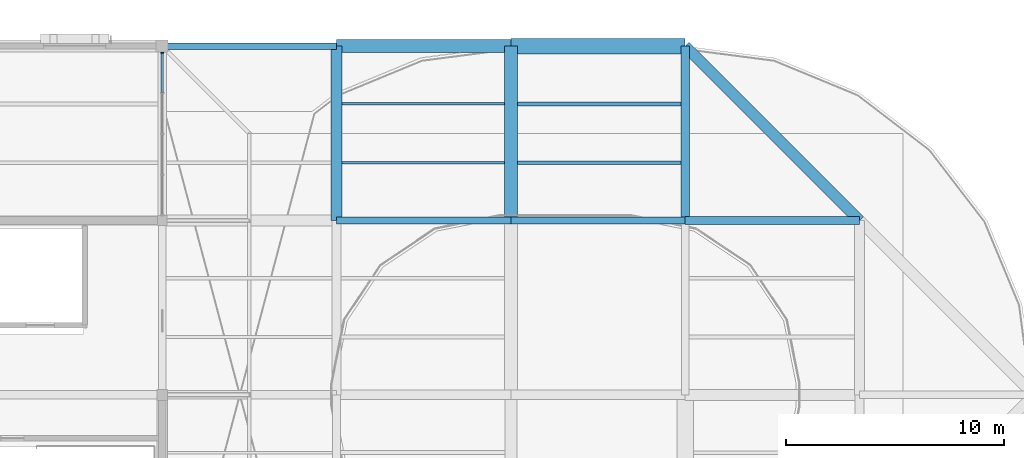
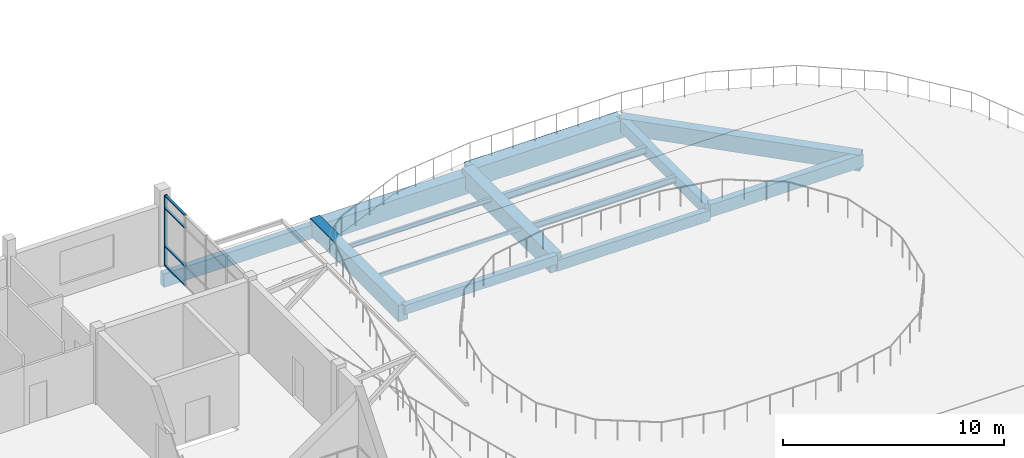
# One storey, part 18 of 44: 14 beams, 5 members, 1 element without a shape of its own.
"""IFC4 building model written with IfcOpenShell, lengths in metres."""

import ifcopenshell
import ifcopenshell.guid

model = None  # the IFC model being written
_history = None  # IfcOwnerHistory: only IFC2X3 demands one
_inside = {}  # id of a spatial element -> (the spatial element, [elements in it])
_under = {}  # id of a project, library or spatial element -> (it, [spatial elements below it])
_declared = {}  # id of a project -> (the project, [libraries it declares])
_typed = {}  # id of a type object -> (the type object, [elements of that type])
_made_of = {}  # id of a material, layer set ... -> (it, [elements and type objects made of it])


def new_model(schema):
    """Start an empty IFC model of exactly this schema.

    Asked for "IFC4X3", IfcOpenShell would pick the latest addendum, in which some entities
    have other attributes; the version numbers below select the first issue.
    IFC2X3 requires an IfcOwnerHistory on every rooted entity: one is made here for all.
    """
    global model, _history
    if schema == "IFC4X3":
        model = ifcopenshell.file(schema_version=(4, 3, 0, 0))
    else:
        model = ifcopenshell.file(schema=schema)
    _inside.clear()
    _under.clear()
    _declared.clear()
    _typed.clear()
    _made_of.clear()
    _history = None
    if model.schema == "IFC2X3":
        org = make("IfcOrganization", Name="unknown")
        user = make(
            "IfcPersonAndOrganization",
            ThePerson=make("IfcPerson", FamilyName="unknown"),
            TheOrganization=org,
        )
        app = make(
            "IfcApplication",
            ApplicationDeveloper=org,
            Version="unknown",
            ApplicationFullName="unknown",
            ApplicationIdentifier="unknown",
        )
        _history = make(
            "IfcOwnerHistory",
            OwningUser=user,
            OwningApplication=app,
            ChangeAction="ADDED",
            CreationDate=0,
        )
    return model


def make(cls, **values):
    """One entity of the class cls with the attributes given. An attribute that is None is left unset."""
    return model.create_entity(
        cls, **{name: value for name, value in values.items() if value is not None}
    )


def rooted(cls, **values):
    """An entity with a GlobalId (a new one), such as an element, a storey or a relation."""
    return make(cls, GlobalId=ifcopenshell.guid.new(), OwnerHistory=_history, **values)


def si_unit(unit_type, name, prefix=None):
    """IfcSIUnit, for example si_unit("LENGTHUNIT", "METRE", prefix="MILLI")."""
    return make("IfcSIUnit", UnitType=unit_type, Prefix=prefix, Name=name)


def assignment(units):
    """IfcUnitAssignment: the units of a project."""
    return None if units is None else make("IfcUnitAssignment", Units=units)


def point(xyz):
    """IfcCartesianPoint."""
    return None if xyz is None else make("IfcCartesianPoint", Coordinates=xyz)


def direction(xyz):
    """IfcDirection."""
    return None if xyz is None else make("IfcDirection", DirectionRatios=xyz)


def frame(location, z_axis=None, x_axis=None):
    """IfcAxis2Placement3D, a coordinate frame: its origin and axes. An axis left out is left unset."""
    return make(
        "IfcAxis2Placement3D",
        Location=point(location),
        Axis=direction(z_axis),
        RefDirection=direction(x_axis),
    )


def frame_2d(location, x_axis=None):
    """IfcAxis2Placement2D, a coordinate frame in the plane: its origin and x axis."""
    return make(
        "IfcAxis2Placement2D", Location=point(location), RefDirection=direction(x_axis)
    )


def origin():
    """The frame at (0, 0, 0) with its axes left unset."""
    return frame((0.0, 0.0, 0.0))


def origin_2d():
    """The frame at (0, 0) in the plane with its x axis left unset."""
    return frame_2d((0.0, 0.0))


def place(relative_to, where):
    """IfcLocalPlacement: puts the frame where relative to a parent placement (None: the world)."""
    return make(
        "IfcLocalPlacement", PlacementRelTo=relative_to, RelativePlacement=where
    )


def context(
    kind, dimensions, precision=None, world=None, true_north=None, identifier=None
):
    """IfcGeometricRepresentationContext, for example the 3D "Model" context."""
    return make(
        "IfcGeometricRepresentationContext",
        ContextIdentifier=identifier,
        ContextType=kind,
        CoordinateSpaceDimension=dimensions,
        Precision=precision,
        WorldCoordinateSystem=world,
        TrueNorth=true_north,
    )


def subcontext(parent, identifier, kind, view, scale=None):
    """IfcGeometricRepresentationSubContext, for example "Body" below "Model"."""
    return make(
        "IfcGeometricRepresentationSubContext",
        ContextIdentifier=identifier,
        ContextType=kind,
        ParentContext=parent,
        TargetScale=scale,
        TargetView=view,
    )


def project(units=None, contexts=None):
    """IfcProject with its units and contexts."""
    return rooted(
        "IfcProject",
        Name="project",
        RepresentationContexts=contexts,
        UnitsInContext=assignment(units),
    )


def spatial(cls, under=None, at=None, **own):
    """A site, building, storey or space (cls), placed at a placement, below another one or the project."""
    s = rooted(cls, ObjectPlacement=at, **own)
    if under is not None:
        _under.setdefault(under.id(), (under, []))[1].append(s)
    return s


def profile(cls, at=None, kind="AREA", **sizes):
    """A parametric profile (cls). Its sizes go by their IFC names, for example OverallWidth=200.0."""
    return make(cls, ProfileType=kind, Position=at, **sizes)


def rectangle(**sizes):
    """IfcRectangleProfileDef."""
    return profile("IfcRectangleProfileDef", **sizes)


def hollow_rectangle(**sizes):
    """IfcRectangleHollowProfileDef."""
    return profile("IfcRectangleHollowProfileDef", **sizes)


def i_section(**sizes):
    """IfcIShapeProfileDef."""
    return profile("IfcIShapeProfileDef", **sizes)


def extrude(swept, where, along, depth):
    """IfcExtrudedAreaSolid: the profile swept, set in the frame where, extruded along a direction by depth."""
    return make(
        "IfcExtrudedAreaSolid",
        SweptArea=swept,
        Position=where,
        ExtrudedDirection=direction(along),
        Depth=depth,
    )


def shape(context_of_items, identifier, shape_type, items):
    """IfcShapeRepresentation: the items that make up one representation, for example the "Body"."""
    return make(
        "IfcShapeRepresentation",
        ContextOfItems=context_of_items,
        RepresentationIdentifier=identifier,
        RepresentationType=shape_type,
        Items=items,
    )


def material(Name=None, Category=None):
    """IfcMaterial."""
    return make("IfcMaterial", Name=Name, Category=Category)


def material_profile(
    of_material, cross_section, Name=None, Category=None, Priority=None
):
    """IfcMaterialProfile: a cross section and its material."""
    return make(
        "IfcMaterialProfile",
        Name=Name,
        Material=of_material,
        Profile=cross_section,
        Priority=Priority,
        Category=Category,
    )


def profile_set(profiles, Name=None, composite=None):
    """IfcMaterialProfileSet."""
    return make(
        "IfcMaterialProfileSet",
        Name=Name,
        MaterialProfiles=profiles,
        CompositeProfile=composite,
    )


def made_of(thing, what):
    """Note that an element or type object is made of a material, layer set ...; save() writes the relation."""
    if what is not None:
        _made_of.setdefault(what.id(), (what, []))[1].append(thing)
    return thing


def type_object(cls, material=None, **own):
    """A type object (cls), such as IfcWallType, which elements share."""
    return made_of(rooted(cls, **own), material)


def element(
    cls,
    number,
    at=None,
    inside=None,
    cuts=None,
    type_object=None,
    material=None,
    context=None,
    identifier="Body",
    shape_type=None,
    held_by="IfcProductDefinitionShape",
    body=None,
    shapes=None,
    **own,
):
    """One element of the class cls, such as IfcWall. Its Tag is "e" and its number.

    at: its placement. inside: the storey or other place that contains it. cuts: it is an
    opening in that element (IfcRelVoidsElement). A single representation is given by context,
    identifier, shape_type and body (its items); several are given by shapes. held_by: the class
    of the entity that holds the representations. save() writes the other relations.
    """
    e = rooted(cls, Tag="e%d" % number, ObjectPlacement=at, **own)
    if body is not None:
        shapes = [shape(context, identifier, shape_type, body)]
    if shapes is not None:
        e.Representation = make(held_by, Representations=shapes)
    if inside is not None:
        _inside.setdefault(inside.id(), (inside, []))[1].append(e)
    if cuts is not None:
        rooted(
            "IfcRelVoidsElement", RelatingBuildingElement=cuts, RelatedOpeningElement=e
        )
    if type_object is not None:
        _typed.setdefault(type_object.id(), (type_object, []))[1].append(e)
    return made_of(e, material)


def aggregate(whole, parts):
    """IfcRelAggregates: a whole, such as a stair, and the parts it consists of."""
    return rooted("IfcRelAggregates", RelatingObject=whole, RelatedObjects=parts)


def save(model, path):
    """Write the relations noted so far, then the file.

    IfcRelAggregates (storeys below a building ...), IfcRelContainedInSpatialStructure (elements
    in a storey), IfcRelDefinesByType, IfcRelAssociatesMaterial and IfcRelDeclares: one each for
    every whole, place, type object, material and project.
    """
    for whole, parts in _under.values():
        aggregate(whole, parts)
    for where, things in _inside.values():
        rooted(
            "IfcRelContainedInSpatialStructure",
            RelatedElements=things,
            RelatingStructure=where,
        )
    for kind, things in _typed.values():
        rooted("IfcRelDefinesByType", RelatedObjects=things, RelatingType=kind)
    for what, things in _made_of.values():
        rooted("IfcRelAssociatesMaterial", RelatedObjects=things, RelatingMaterial=what)
    for by, libraries in _declared.values():
        rooted("IfcRelDeclares", RelatingContext=by, RelatedDefinitions=libraries)
    model.write(path)


model = new_model("IFC4")

# Units and contexts
model_context = context("Model", 3, precision=1e-05, world=origin(), true_north=direction((0.0, 1.0)))
body_context = subcontext(model_context, "Body", "Model", "MODEL_VIEW")
ifc_project = project(units=[si_unit("LENGTHUNIT", "METRE"), si_unit("AREAUNIT", "SQUARE_METRE"), si_unit("VOLUMEUNIT", "CUBIC_METRE"), si_unit("PLANEANGLEUNIT", "RADIAN"), si_unit("MASSUNIT", "GRAM", prefix="KILO")], contexts=[model_context])

# Site, building, storey
site_placement = place(None, origin())
site = spatial("IfcSite", under=ifc_project, at=site_placement, CompositionType="ELEMENT")
building_placement = place(site_placement, origin())
building = spatial("IfcBuilding", under=site, at=building_placement, Name="Tenunan Teduh Sports Hall", CompositionType="ELEMENT")
storey_placement = place(building_placement, frame((0.0, 0.0, 19.199951171875)))
storey = spatial("IfcBuildingStorey", under=building, at=storey_placement, Name="L04", CompositionType="ELEMENT", Elevation=19.199951171875)

# Beams
ifc_material_1 = material(Name="Concrete C40/50", Category="concrete")
ifc_material_profile_1 = material_profile(ifc_material_1, rectangle(XDim=0.300048828125, YDim=0.5, at=origin_2d()), Name="RCB 300x500")
ifc_profile_set_1 = profile_set([ifc_material_profile_1], Name="Concrete C40/50")
beam_type_1 = type_object("IfcBeamType", Name="BM-RC-300x500", PredefinedType="BEAM", material=ifc_profile_set_1)
beam_1_placement = place(storey_placement, frame((46.0, 110.0, -0.52001953125), z_axis=(1.0, 0.0, 0.0), x_axis=(0.0, 1.0, 0.0)))
element("IfcBeam", 1, at=beam_1_placement, inside=storey, type_object=beam_type_1, Name="BM-B-01-L04-2055", PredefinedType="BEAM", context=body_context, shape_type="SweptSolid", body=[
    extrude(rectangle(XDim=0.300048828125, YDim=0.5, at=origin_2d()), origin(), (0.0, 0.0, 1.0), 8.0),
])
ifc_material_2 = material(Name="Concrete C40/50", Category="concrete")
ifc_material_profile_2 = material_profile(ifc_material_2, rectangle(XDim=0.300048828125, YDim=0.60009765625, at=origin_2d()), Name="RCB 300x600")
ifc_profile_set_2 = profile_set([ifc_material_profile_2], Name="Concrete C40/50")
beam_type_2 = type_object("IfcBeamType", Name="BM-RC-300x600", PredefinedType="BEAM", material=ifc_profile_set_2)
beam_2_placement = place(storey_placement, frame((54.0, 110.0, -0.869873046875), z_axis=(1.0, 0.0, 0.0), x_axis=(0.0, 1.0, 0.0)))
element("IfcBeam", 2, at=beam_2_placement, inside=storey, type_object=beam_type_2, Name="BM-B-03-L04-2056", PredefinedType="BEAM", context=body_context, shape_type="SweptSolid", body=[
    extrude(rectangle(XDim=0.300048828125, YDim=0.60009765625, at=origin_2d()), origin(), (0.0, 0.0, 1.0), 8.0),
])
ifc_material_3 = material(Name="Concrete C40/50", Category="concrete")
ifc_material_profile_3 = material_profile(ifc_material_3, rectangle(XDim=0.35009765625, YDim=0.699951171875, at=origin_2d()), Name="RCB 350x700")
ifc_profile_set_3 = profile_set([ifc_material_profile_3], Name="Concrete C40/50")
beam_type_3 = type_object("IfcBeamType", Name="BM-RC-350x700", PredefinedType="BEAM", material=ifc_profile_set_3)
beam_3_placement = place(storey_placement, frame((62.0, 110.0, -0.619873046875), z_axis=(1.0, 0.0, 0.0), x_axis=(0.0, 1.0, 0.0)))
element("IfcBeam", 3, at=beam_3_placement, inside=storey, type_object=beam_type_3, Name="BM-B-06-L04-2057", PredefinedType="BEAM", context=body_context, shape_type="SweptSolid", body=[
    extrude(rectangle(XDim=0.35009765625, YDim=0.699951171875, at=origin_2d()), origin(), (0.0, 0.0, 1.0), 8.0),
])
ifc_material_4 = material(Name="Concrete C40/50", Category="concrete")
ifc_material_profile_4 = material_profile(ifc_material_4, rectangle(XDim=0.39990234375, YDim=0.64990234375, at=origin_2d()), Name="RCB 400x650")
ifc_profile_set_4 = profile_set([ifc_material_profile_4], Name="Concrete C40/50")
beam_type_4 = type_object("IfcBeamType", Name="BM-RC-400x650", PredefinedType="BEAM", material=ifc_profile_set_4)
beam_4_placement = place(storey_placement, frame((62.0, 110.0, -0.594970703125), z_axis=(0.0, 1.0, 0.0), x_axis=(-1.0, 0.0, 0.0)))
element("IfcBeam", 4, at=beam_4_placement, inside=storey, type_object=beam_type_4, Name="BM-B-07-L04-2107", PredefinedType="BEAM", context=body_context, shape_type="SweptSolid", body=[
    extrude(rectangle(XDim=0.39990234375, YDim=0.64990234375, at=origin_2d()), origin(), (0.0, 0.0, 1.0), 8.0),
])
ifc_material_5 = material(Name="Concrete C40/50", Category="concrete")
ifc_material_profile_5 = material_profile(ifc_material_5, rectangle(XDim=0.5, YDim=0.89990234375, at=origin_2d()), Name="RCB 500x900")
ifc_profile_set_5 = profile_set([ifc_material_profile_5], Name="Concrete C40/50")
beam_type_5 = type_object("IfcBeamType", Name="BM-RC-500x900", PredefinedType="BEAM", material=ifc_profile_set_5)
beam_5_placement = place(storey_placement, frame((70.0, 110.0, -0.7099609375), z_axis=(-0.707106781187, 0.707106781187, 0.0), x_axis=(-0.707106781187, -0.707106781187, 0.0)))
element("IfcBeam", 5, at=beam_5_placement, inside=storey, type_object=beam_type_5, Name="BM-B-15-L04-0612", PredefinedType="BEAM", context=body_context, shape_type="SweptSolid", body=[
    extrude(rectangle(XDim=0.5, YDim=0.89990234375, at=origin_2d()), origin(), (0.0, 0.0, 1.0), 11.313720703125),
])
beam_6_placement = place(storey_placement, frame((46.0, 110.0, -0.719970703125), z_axis=(0.0, 1.0, 0.0), x_axis=(-1.0, 0.0, 0.0)))
element("IfcBeam", 6, at=beam_6_placement, inside=storey, type_object=beam_type_5, Name="BM-B-15-L04-2095", PredefinedType="BEAM", context=body_context, shape_type="SweptSolid", body=[
    extrude(rectangle(XDim=0.5, YDim=0.89990234375, at=origin_2d()), origin(), (0.0, 0.0, 1.0), 8.0),
])
ifc_material_6 = material(Name="Concrete C40/50", Category="concrete")
ifc_material_profile_6 = material_profile(ifc_material_6, rectangle(XDim=0.60009765625, YDim=1.0, at=origin_2d()), Name="RCB 600x1000")
ifc_profile_set_6 = profile_set([ifc_material_profile_6], Name="Concrete C40/50")
beam_type_6 = type_object("IfcBeamType", Name="BM-RC-600x1000", PredefinedType="BEAM", material=ifc_profile_set_6)
for number, where, z_axis, x_axis, name in (
    (7, (46.0, 118.0, -1.070068359375), (1.0, 0.0, 0.0), (0.0, 1.0, 0.0), "BM-B-18-L04-2062"),
    (8, (54.0, 110.0, -0.77001953125), (0.0, 1.0, 0.0), (-1.0, 0.0, 0.0), "BM-B-18-L04-2103"),
):
    element("IfcBeam", number, at=place(storey_placement, frame(where, z_axis=z_axis, x_axis=x_axis)), inside=storey, type_object=beam_type_6, Name=name, PredefinedType="BEAM", context=body_context, shape_type="SweptSolid", body=[
        extrude(rectangle(XDim=0.60009765625, YDim=1.0, at=origin_2d()), origin(), (0.0, 0.0, 1.0), 8.0),
    ])
ifc_material_7 = material(Name="Concrete C40/50", Category="concrete")
ifc_material_profile_7 = material_profile(ifc_material_7, rectangle(XDim=0.699951171875, YDim=1.0, at=origin_2d()), Name="RCB 700x1000")
ifc_profile_set_7 = profile_set([ifc_material_profile_7], Name="Concrete C40/50")
beam_type_7 = type_object("IfcBeamType", Name="BM-RC-700x1000", PredefinedType="SPANDREL", material=ifc_profile_set_7)
beam_7_placement = place(storey_placement, frame((54.0, 118.0, -0.77001953125), z_axis=(1.0, 0.0, 0.0), x_axis=(0.0, 1.0, 0.0)))
element("IfcBeam", 9, at=beam_7_placement, inside=storey, type_object=beam_type_7, Name="BM-B-19-L04-2063", PredefinedType="SPANDREL", context=body_context, shape_type="SweptSolid", body=[
    extrude(rectangle(XDim=0.699951171875, YDim=1.0, at=origin_2d()), origin(), (0.0, 0.0, 1.0), 8.0),
])
ifc_material_8 = material(Name="Concrete C40/50", Category="concrete")
ifc_material_profile_8 = material_profile(ifc_material_8, rectangle(XDim=0.300048828125, YDim=0.75, at=origin_2d()), Name="SPB 300x750")
ifc_profile_set_8 = profile_set([ifc_material_profile_8], Name="Concrete C40/50")
beam_type_8 = type_object("IfcBeamType", Name="BM-SP-300x750", PredefinedType="SPANDREL", material=ifc_profile_set_8)
beam_8_placement = place(storey_placement, frame((38.0, 118.0, -0.945068359375), z_axis=(1.0, 0.0, 0.0), x_axis=(0.0, 1.0, 0.0)))
element("IfcBeam", 10, at=beam_8_placement, inside=storey, type_object=beam_type_8, Name="BM-SP-01-L04-2061", PredefinedType="SPANDREL", context=body_context, shape_type="SweptSolid", body=[
    extrude(rectangle(XDim=0.300048828125, YDim=0.75, at=origin_2d()), origin(), (0.0, 0.0, 1.0), 8.0),
])

# Curtain wall, members
ifc_material_9 = material(Name="Anodised aluminium", Category="aluminium")
curtain_wall_type = type_object("IfcCurtainWallType", Name="CW-UNIT-2", PredefinedType="NOTDEFINED", material=ifc_material_9)
curtain_wall_placement = place(storey_placement, origin())
curtain_wall = element("IfcCurtainWall", 11, at=curtain_wall_placement, inside=storey, type_object=curtain_wall_type, Name="CW-CWM-150-L04-231", PredefinedType="NOTDEFINED")
ifc_material_10 = material(Name="Anodised aluminium", Category="aluminium")
ifc_material_profile_9 = material_profile(ifc_material_10, rectangle(XDim=0.06005859375, YDim=0.14990234375, at=origin_2d()), Name="CWM 60x150")
ifc_profile_set_9 = profile_set([ifc_material_profile_9], Name="Anodised aluminium")
member_type_1 = type_object("IfcMemberType", Name="CWM-150", PredefinedType="MULLION", material=ifc_profile_set_9)
member_1_placement = place(storey_placement, frame((38.0, 117.695068359375, 0.0), z_axis=(0.0, 0.0, 1.0), x_axis=(0.0, 1.0, 0.0)))
member_1 = element("IfcMember", 12, at=member_1_placement, type_object=member_type_1, Name="CW-02 mullion 5", PredefinedType="MULLION", context=body_context, shape_type="SweptSolid", body=[
    extrude(rectangle(XDim=0.06005859375, YDim=0.14990234375, at=origin_2d()), origin(), (0.0, 0.0, 1.0), 3.920166015625),
])
ifc_material_11 = material(Name="Anodised aluminium", Category="aluminium")
ifc_material_profile_10 = material_profile(ifc_material_11, rectangle(XDim=0.06005859375, YDim=0.1201171875, at=origin_2d()), Name="CWT 60x120")
ifc_profile_set_10 = profile_set([ifc_material_profile_10], Name="Anodised aluminium")
member_type_2 = type_object("IfcMemberType", Name="CWT-125", PredefinedType="USERDEFINED", material=ifc_profile_set_10)
member_2_placement = place(storey_placement, frame((38.0, 115.8798828125, 0.030029296875), z_axis=(0.0, 1.0, 0.0), x_axis=(0.0, 0.0, 1.0)))
member_2 = element("IfcMember", 13, at=member_2_placement, type_object=member_type_2, Name="CW-02 transom 4.1", ObjectType="TRANSOM", PredefinedType="USERDEFINED", context=body_context, shape_type="SweptSolid", body=[
    extrude(rectangle(XDim=0.06005859375, YDim=0.1201171875, at=origin_2d()), origin(), (0.0, 0.0, 1.0), 1.78515625),
])
member_3_placement = place(storey_placement, frame((38.0, 115.8798828125, 1.10009765625), z_axis=(0.0, 1.0, 0.0), x_axis=(0.0, 0.0, 1.0)))
member_3 = element("IfcMember", 14, at=member_3_placement, type_object=member_type_2, Name="CW-02 transom 4.2", ObjectType="TRANSOM", PredefinedType="USERDEFINED", context=body_context, shape_type="SweptSolid", body=[
    extrude(rectangle(XDim=0.06005859375, YDim=0.1201171875, at=origin_2d()), origin(), (0.0, 0.0, 1.0), 1.78515625),
])
member_4_placement = place(storey_placement, frame((38.0, 115.8798828125, 3.199951171875), z_axis=(0.0, 1.0, 0.0), x_axis=(0.0, 0.0, 1.0)))
member_4 = element("IfcMember", 15, at=member_4_placement, type_object=member_type_2, Name="CW-02 transom 4.3", ObjectType="TRANSOM", PredefinedType="USERDEFINED", context=body_context, shape_type="SweptSolid", body=[
    extrude(rectangle(XDim=0.06005859375, YDim=0.1201171875, at=origin_2d()), origin(), (0.0, 0.0, 1.0), 1.78515625),
])
member_5_placement = place(storey_placement, frame((38.0, 115.8798828125, 3.89013671875), z_axis=(0.0, 1.0, 0.0), x_axis=(0.0, 0.0, 1.0)))
member_5 = element("IfcMember", 16, at=member_5_placement, type_object=member_type_2, Name="CW-02 transom 4.4", ObjectType="TRANSOM", PredefinedType="USERDEFINED", context=body_context, shape_type="SweptSolid", body=[
    extrude(rectangle(XDim=0.06005859375, YDim=0.1201171875, at=origin_2d()), origin(), (0.0, 0.0, 1.0), 1.78515625),
])
aggregate(curtain_wall, [member_1, member_2, member_3, member_4, member_5])

# Beams
ifc_material_12 = material(Name="Steel S355", Category="steel")
ifc_material_profile_11 = material_profile(ifc_material_12, i_section(OverallWidth=0.1201171875, OverallDepth=0.239990234375, WebThickness=0.006103515625, FlangeThickness=0.009765625, FilletRadius=0.014892578125, at=origin_2d()), Name="IPE 240")
ifc_profile_set_11 = profile_set([ifc_material_profile_11], Name="Steel S355")
beam_type_9 = type_object("IfcBeamType", Name="JST-IPE240", PredefinedType="JOIST", material=ifc_profile_set_11)
beam_9_placement = place(storey_placement, frame((46.25, 115.35009765625, -0.389892578125), z_axis=(1.0, 0.0, 0.0), x_axis=(0.0, 1.0, 0.0)))
element("IfcBeam", 17, at=beam_9_placement, inside=storey, type_object=beam_type_9, Name="BM-J-02-L04-2153", PredefinedType="JOIST", context=body_context, shape_type="SweptSolid", body=[
    extrude(i_section(OverallWidth=0.1201171875, OverallDepth=0.239990234375, WebThickness=0.006103515625, FlangeThickness=0.009765625, FilletRadius=0.014892578125, at=origin_2d()), origin(), (0.0, 0.0, 1.0), 7.449951171875),
])
ifc_material_13 = material(Name="Steel S355", Category="steel")
ifc_material_profile_12 = material_profile(ifc_material_13, i_section(OverallWidth=0.169921875, OverallDepth=0.360107421875, WebThickness=0.008056640625, FlangeThickness=0.0126953125, FilletRadius=0.01806640625, at=origin_2d()), Name="IPE 360")
ifc_profile_set_12 = profile_set([ifc_material_profile_12], Name="Steel S355")
beam_type_10 = type_object("IfcBeamType", Name="JST-IPE360", PredefinedType="JOIST", material=ifc_profile_set_12)
beam_10_placement = place(storey_placement, frame((54.300048828125, 112.64990234375, -0.449951171875), z_axis=(1.0, 0.0, 0.0), x_axis=(0.0, 1.0, 0.0)))
element("IfcBeam", 18, at=beam_10_placement, inside=storey, type_object=beam_type_10, Name="BM-J-05-L04-2156", PredefinedType="JOIST", context=body_context, shape_type="SweptSolid", body=[
    extrude(i_section(OverallWidth=0.169921875, OverallDepth=0.360107421875, WebThickness=0.008056640625, FlangeThickness=0.0126953125, FilletRadius=0.01806640625, at=origin_2d()), origin(), (0.0, 0.0, 1.0), 7.5),
])
ifc_material_14 = material(Name="Steel S355", Category="steel")
ifc_material_profile_13 = material_profile(ifc_material_14, i_section(OverallWidth=0.179931640625, OverallDepth=0.39990234375, WebThickness=0.008544921875, FlangeThickness=0.013427734375, FilletRadius=0.02099609375, at=origin_2d()), Name="IPE 400")
ifc_profile_set_13 = profile_set([ifc_material_profile_13], Name="Steel S355")
beam_type_11 = type_object("IfcBeamType", Name="JST-IPE400", PredefinedType="JOIST", material=ifc_profile_set_13)
beam_11_placement = place(storey_placement, frame((54.300048828125, 115.35009765625, -0.469970703125), z_axis=(1.0, 0.0, 0.0), x_axis=(0.0, 1.0, 0.0)))
element("IfcBeam", 19, at=beam_11_placement, inside=storey, type_object=beam_type_11, Name="BM-J-06-L04-2157", PredefinedType="JOIST", context=body_context, shape_type="SweptSolid", body=[
    extrude(i_section(OverallWidth=0.179931640625, OverallDepth=0.39990234375, WebThickness=0.008544921875, FlangeThickness=0.013427734375, FilletRadius=0.02099609375, at=origin_2d()), origin(), (0.0, 0.0, 1.0), 7.5),
])
ifc_material_15 = material(Name="Steel S355", Category="steel")
ifc_material_profile_14 = material_profile(ifc_material_15, hollow_rectangle(XDim=0.10009765625, YDim=0.199951171875, WallThickness=0.008056640625, at=origin_2d()), Name="RHS 200x100x8.0")
ifc_profile_set_14 = profile_set([ifc_material_profile_14], Name="Steel S355")
beam_type_12 = type_object("IfcBeamType", Name="RBM-RHS200", PredefinedType="JOIST", material=ifc_profile_set_14)
beam_12_placement = place(storey_placement, frame((46.25, 112.64990234375, -0.369873046875), z_axis=(1.0, 0.0, 0.0), x_axis=(0.0, 1.0, 0.0)))
element("IfcBeam", 20, at=beam_12_placement, inside=storey, type_object=beam_type_12, Name="Perimeter Ring Beam BM-RB-05-L04-2152", PredefinedType="JOIST", context=body_context, shape_type="SweptSolid", body=[
    extrude(hollow_rectangle(XDim=0.10009765625, YDim=0.199951171875, WallThickness=0.008056640625, at=origin_2d()), origin(), (0.0, 0.0, 1.0), 7.449951171875),
])

save(model, "model.ifc")
